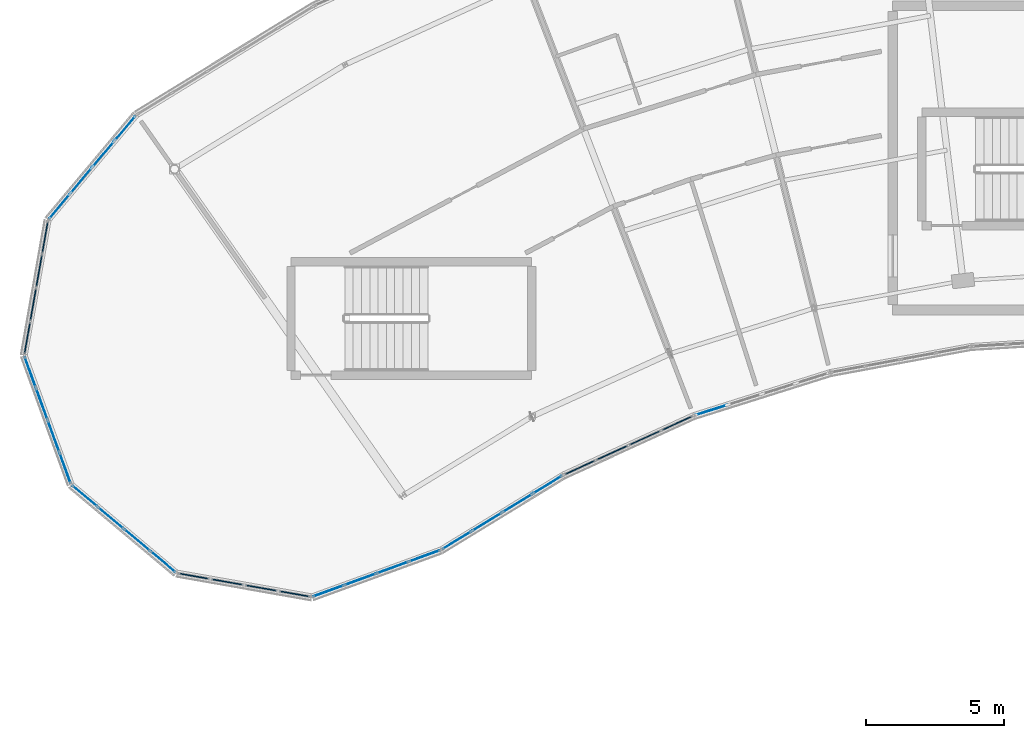
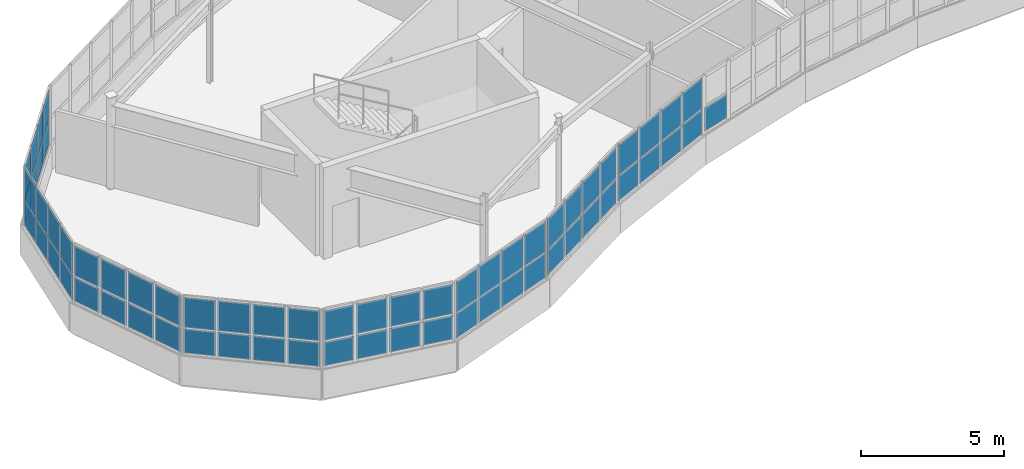
# One storey, part 40 of 65: 65 plates, 9 elements without a shape of their own.
"""IFC4 building model written with IfcOpenShell, lengths in metres."""

from ifc_helpers import new_model, si_unit, direction, frame, origin, origin_2d, place, context, subcontext, project, spatial, rectangle, extrude, material, layer, layer_set, type_object, element, aggregate, save


model = new_model("IFC4")

# Units and contexts
model_context = context("Model", 3, precision=1e-05, world=origin(), true_north=direction((0.0, 1.0)))
body_context = subcontext(model_context, "Body", "Model", "MODEL_VIEW")
ifc_project = project(units=[si_unit("LENGTHUNIT", "METRE"), si_unit("AREAUNIT", "SQUARE_METRE"), si_unit("VOLUMEUNIT", "CUBIC_METRE"), si_unit("PLANEANGLEUNIT", "RADIAN"), si_unit("MASSUNIT", "GRAM", prefix="KILO")], contexts=[model_context])

# Site, building, storey
site_placement = place(None, origin())
site = spatial("IfcSite", under=ifc_project, at=site_placement, CompositionType="ELEMENT")
building_placement = place(site_placement, origin())
building = spatial("IfcBuilding", under=site, at=building_placement, Name="Tarnwether General Hospital", CompositionType="ELEMENT")
storey_placement = place(building_placement, frame((0.0, 0.0, 22.199951171875)))
storey = spatial("IfcBuildingStorey", under=building, at=storey_placement, Name="L05", CompositionType="ELEMENT", Elevation=22.199951171875)

# Curtain wall, plates
ifc_material_1 = material(Name="Anodised aluminium", Category="aluminium")
ifc_layer_1 = layer(ifc_material_1, 0.159912109375)
ifc_layer_set_1 = layer_set([ifc_layer_1], Name="Anodised aluminium")
curtain_wall_type = type_object("IfcCurtainWallType", Name="CW-03", PredefinedType="NOTDEFINED", material=ifc_layer_set_1)
curtain_wall_1_placement = place(storey_placement, origin())
curtain_wall_1 = element("IfcCurtainWall", 1, at=curtain_wall_1_placement, inside=storey, type_object=curtain_wall_type, Name="Curtain Wall CWG-L05-543_1001-0066", PredefinedType="NOTDEFINED")
ifc_material_2 = material(Name="Double glazed low-E glass", Category="glass")
ifc_layer_2 = layer(ifc_material_2, 0.028076171875)
ifc_layer_set_2 = layer_set([ifc_layer_2], Name="Double glazed low-E glass")
plate_type_1 = type_object("IfcPlateType", Name="PT-CWP1", PredefinedType="CURTAIN_PANEL", material=ifc_layer_set_2)
plate_1_placement = place(storey_placement, frame((54.091552734375, 100.690185546875, 1.1201171875), z_axis=(0.0, 0.0, 1.0), x_axis=(-0.341953136469, 0.939717006582, 0.0)))
plate_1 = element("IfcPlate", 2, at=plate_1_placement, type_object=plate_type_1, Name="CW-03 panel 1.1", PredefinedType="CURTAIN_PANEL", context=body_context, shape_type="SweptSolid", body=[
    extrude(rectangle(XDim=1.13720703125, YDim=0.028076171875, at=origin_2d()), origin(), (0.0, 0.0, 1.0), 1.0244140625),
])
plate_2_placement = place(storey_placement, frame((54.091552734375, 100.690185546875, 2.214599609375), z_axis=(0.0, 0.0, 1.0), x_axis=(-0.341953136469, 0.939717006582, 0.0)))
plate_2 = element("IfcPlate", 3, at=plate_2_placement, type_object=plate_type_1, Name="CW-03 panel 1.2", PredefinedType="CURTAIN_PANEL", context=body_context, shape_type="SweptSolid", body=[
    extrude(rectangle(XDim=1.13720703125, YDim=0.028076171875, at=origin_2d()), origin(), (0.0, 0.0, 1.0), 1.275390625),
])
plate_3_placement = place(storey_placement, frame((53.6728515625, 101.8408203125, 1.1201171875), z_axis=(0.0, 0.0, 1.0), x_axis=(-0.341953136469, 0.939717006582, 0.0)))
plate_3 = element("IfcPlate", 4, at=plate_3_placement, type_object=plate_type_1, Name="CW-03 panel 2.1", PredefinedType="CURTAIN_PANEL", context=body_context, shape_type="SweptSolid", body=[
    extrude(rectangle(XDim=1.172119140625, YDim=0.028076171875, at=origin_2d()), origin(), (0.0, 0.0, 1.0), 1.0244140625),
])
plate_4_placement = place(storey_placement, frame((53.6728515625, 101.8408203125, 2.214599609375), z_axis=(0.0, 0.0, 1.0), x_axis=(-0.341953136469, 0.939717006582, 0.0)))
plate_4 = element("IfcPlate", 5, at=plate_4_placement, type_object=plate_type_1, Name="CW-03 panel 2.2", PredefinedType="CURTAIN_PANEL", context=body_context, shape_type="SweptSolid", body=[
    extrude(rectangle(XDim=1.172119140625, YDim=0.028076171875, at=origin_2d()), origin(), (0.0, 0.0, 1.0), 1.275390625),
])
plate_5_placement = place(storey_placement, frame((53.248046875, 103.008056640625, 1.1201171875), z_axis=(0.0, 0.0, 1.0), x_axis=(-0.341953136469, 0.939717006582, 0.0)))
plate_5 = element("IfcPlate", 6, at=plate_5_placement, type_object=plate_type_1, Name="CW-03 panel 3.1", PredefinedType="CURTAIN_PANEL", context=body_context, shape_type="SweptSolid", body=[
    extrude(rectangle(XDim=1.172119140625, YDim=0.028076171875, at=origin_2d()), origin(), (0.0, 0.0, 1.0), 1.0244140625),
])
plate_6_placement = place(storey_placement, frame((53.248046875, 103.008056640625, 2.214599609375), z_axis=(0.0, 0.0, 1.0), x_axis=(-0.341953136469, 0.939717006582, 0.0)))
plate_6 = element("IfcPlate", 7, at=plate_6_placement, type_object=plate_type_1, Name="CW-03 panel 3.2", PredefinedType="CURTAIN_PANEL", context=body_context, shape_type="SweptSolid", body=[
    extrude(rectangle(XDim=1.172119140625, YDim=0.028076171875, at=origin_2d()), origin(), (0.0, 0.0, 1.0), 1.275390625),
])
plate_7_placement = place(storey_placement, frame((52.829345703125, 104.158935546875, 1.1201171875), z_axis=(0.0, 0.0, 1.0), x_axis=(-0.341953136469, 0.939717006582, 0.0)))
plate_7 = element("IfcPlate", 8, at=plate_7_placement, type_object=plate_type_1, Name="CW-03 panel 4.1", PredefinedType="CURTAIN_PANEL", context=body_context, shape_type="SweptSolid", body=[
    extrude(rectangle(XDim=1.13720703125, YDim=0.028076171875, at=origin_2d()), origin(), (0.0, 0.0, 1.0), 1.0244140625),
])
plate_8_placement = place(storey_placement, frame((52.829345703125, 104.158935546875, 2.214599609375), z_axis=(0.0, 0.0, 1.0), x_axis=(-0.341953136469, 0.939717006582, 0.0)))
plate_8 = element("IfcPlate", 9, at=plate_8_placement, type_object=plate_type_1, Name="CW-03 panel 4.2", PredefinedType="CURTAIN_PANEL", context=body_context, shape_type="SweptSolid", body=[
    extrude(rectangle(XDim=1.13720703125, YDim=0.028076171875, at=origin_2d()), origin(), (0.0, 0.0, 1.0), 1.275390625),
])
aggregate(curtain_wall_1, [plate_1, plate_2, plate_3, plate_4, plate_5, plate_6, plate_7, plate_8])

curtain_wall_2_placement = place(storey_placement, origin())
curtain_wall_2 = element("IfcCurtainWall", 10, at=curtain_wall_2_placement, inside=storey, type_object=curtain_wall_type, Name="Curtain Wall CWG-L05-581_969-0067", PredefinedType="NOTDEFINED")
plate_9_placement = place(storey_placement, frame((57.628662109375, 97.304931640625, 1.115234375), z_axis=(0.0, 0.0, 1.0), x_axis=(-0.765990176896, 0.64285227611, 0.0)))
plate_9 = element("IfcPlate", 11, at=plate_9_placement, type_object=plate_type_1, Name="CW-03 panel 1.1", PredefinedType="CURTAIN_PANEL", context=body_context, shape_type="SweptSolid", body=[
    extrude(rectangle(XDim=1.14501953125, YDim=0.028076171875, at=origin_2d()), origin(), (0.0, 0.0, 1.0), 1.031982421875),
])
plate_10_placement = place(storey_placement, frame((57.628662109375, 97.304931640625, 2.2119140625), z_axis=(0.0, 0.0, 1.0), x_axis=(-0.765990176896, 0.64285227611, 0.0)))
plate_10 = element("IfcPlate", 12, at=plate_10_placement, type_object=plate_type_1, Name="CW-03 panel 1.2", PredefinedType="CURTAIN_PANEL", context=body_context, shape_type="SweptSolid", body=[
    extrude(rectangle(XDim=1.14501953125, YDim=0.028076171875, at=origin_2d()), origin(), (0.0, 0.0, 1.0), 1.282958984375),
])
plate_11_placement = place(storey_placement, frame((56.689453125, 98.093017578125, 1.115234375), z_axis=(0.0, 0.0, 1.0), x_axis=(-0.765990176896, 0.64285227611, 0.0)))
plate_11 = element("IfcPlate", 13, at=plate_11_placement, type_object=plate_type_1, Name="CW-03 panel 2.1", PredefinedType="CURTAIN_PANEL", context=body_context, shape_type="SweptSolid", body=[
    extrude(rectangle(XDim=1.177490234375, YDim=0.028076171875, at=origin_2d()), origin(), (0.0, 0.0, 1.0), 1.031982421875),
])
plate_12_placement = place(storey_placement, frame((56.689453125, 98.093017578125, 2.2119140625), z_axis=(0.0, 0.0, 1.0), x_axis=(-0.765990176896, 0.64285227611, 0.0)))
plate_12 = element("IfcPlate", 14, at=plate_12_placement, type_object=plate_type_1, Name="CW-03 panel 2.2", PredefinedType="CURTAIN_PANEL", context=body_context, shape_type="SweptSolid", body=[
    extrude(rectangle(XDim=1.177490234375, YDim=0.028076171875, at=origin_2d()), origin(), (0.0, 0.0, 1.0), 1.282958984375),
])
plate_13_placement = place(storey_placement, frame((55.737548828125, 98.891845703125, 1.115234375), z_axis=(0.0, 0.0, 1.0), x_axis=(-0.765990176896, 0.64285227611, 0.0)))
plate_13 = element("IfcPlate", 15, at=plate_13_placement, type_object=plate_type_1, Name="CW-03 panel 3.1", PredefinedType="CURTAIN_PANEL", context=body_context, shape_type="SweptSolid", body=[
    extrude(rectangle(XDim=1.177490234375, YDim=0.028076171875, at=origin_2d()), origin(), (0.0, 0.0, 1.0), 1.031982421875),
])
plate_14_placement = place(storey_placement, frame((55.737548828125, 98.891845703125, 2.2119140625), z_axis=(0.0, 0.0, 1.0), x_axis=(-0.765990176896, 0.64285227611, 0.0)))
plate_14 = element("IfcPlate", 16, at=plate_14_placement, type_object=plate_type_1, Name="CW-03 panel 3.2", PredefinedType="CURTAIN_PANEL", context=body_context, shape_type="SweptSolid", body=[
    extrude(rectangle(XDim=1.177490234375, YDim=0.028076171875, at=origin_2d()), origin(), (0.0, 0.0, 1.0), 1.282958984375),
])
plate_15_placement = place(storey_placement, frame((54.79833984375, 99.68017578125, 1.115234375), z_axis=(0.0, 0.0, 1.0), x_axis=(-0.765990176896, 0.64285227611, 0.0)))
plate_15 = element("IfcPlate", 17, at=plate_15_placement, type_object=plate_type_1, Name="CW-03 panel 4.1", PredefinedType="CURTAIN_PANEL", context=body_context, shape_type="SweptSolid", body=[
    extrude(rectangle(XDim=1.14501953125, YDim=0.028076171875, at=origin_2d()), origin(), (0.0, 0.0, 1.0), 1.031982421875),
])
plate_16_placement = place(storey_placement, frame((54.79833984375, 99.68017578125, 2.2119140625), z_axis=(0.0, 0.0, 1.0), x_axis=(-0.765990176896, 0.64285227611, 0.0)))
plate_16 = element("IfcPlate", 18, at=plate_16_placement, type_object=plate_type_1, Name="CW-03 panel 4.2", PredefinedType="CURTAIN_PANEL", context=body_context, shape_type="SweptSolid", body=[
    extrude(rectangle(XDim=1.14501953125, YDim=0.028076171875, at=origin_2d()), origin(), (0.0, 0.0, 1.0), 1.282958984375),
])
aggregate(curtain_wall_2, [plate_9, plate_10, plate_11, plate_12, plate_13, plate_14, plate_15, plate_16])

curtain_wall_3_placement = place(storey_placement, origin())
curtain_wall_3 = element("IfcCurtainWall", 19, at=curtain_wall_3_placement, inside=storey, type_object=curtain_wall_type, Name="Curtain Wall CWG-L05-677_977-0069", PredefinedType="NOTDEFINED")
plate_17_placement = place(storey_placement, frame((67.082275390625, 97.514404296875, 1.110107421875), z_axis=(0.0, 0.0, 1.0), x_axis=(-0.939652319163, -0.342130850834, 0.0)))
plate_17 = element("IfcPlate", 20, at=plate_17_placement, type_object=plate_type_1, Name="CW-03 panel 1.1", PredefinedType="CURTAIN_PANEL", context=body_context, shape_type="SweptSolid", body=[
    extrude(rectangle(XDim=1.152099609375, YDim=0.028076171875, at=origin_2d()), origin(), (0.0, 0.0, 1.0), 1.03955078125),
])
plate_18_placement = place(storey_placement, frame((67.082275390625, 97.514404296875, 2.20947265625), z_axis=(0.0, 0.0, 1.0), x_axis=(-0.939652319163, -0.342130850834, 0.0)))
plate_18 = element("IfcPlate", 21, at=plate_18_placement, type_object=plate_type_1, Name="CW-03 panel 1.2", PredefinedType="CURTAIN_PANEL", context=body_context, shape_type="SweptSolid", body=[
    extrude(rectangle(XDim=1.152099609375, YDim=0.028076171875, at=origin_2d()), origin(), (0.0, 0.0, 1.0), 1.29052734375),
])
plate_19_placement = place(storey_placement, frame((65.92919921875, 97.094482421875, 1.110107421875), z_axis=(0.0, 0.0, 1.0), x_axis=(-0.939652319163, -0.342130850834, 0.0)))
plate_19 = element("IfcPlate", 22, at=plate_19_placement, type_object=plate_type_1, Name="CW-03 panel 2.1", PredefinedType="CURTAIN_PANEL", context=body_context, shape_type="SweptSolid", body=[
    extrude(rectangle(XDim=1.18212890625, YDim=0.028076171875, at=origin_2d()), origin(), (0.0, 0.0, 1.0), 1.03955078125),
])
plate_20_placement = place(storey_placement, frame((65.92919921875, 97.094482421875, 2.20947265625), z_axis=(0.0, 0.0, 1.0), x_axis=(-0.939652319163, -0.342130850834, 0.0)))
plate_20 = element("IfcPlate", 23, at=plate_20_placement, type_object=plate_type_1, Name="CW-03 panel 2.2", PredefinedType="CURTAIN_PANEL", context=body_context, shape_type="SweptSolid", body=[
    extrude(rectangle(XDim=1.18212890625, YDim=0.028076171875, at=origin_2d()), origin(), (0.0, 0.0, 1.0), 1.29052734375),
])
plate_21_placement = place(storey_placement, frame((64.761962890625, 96.66943359375, 1.110107421875), z_axis=(0.0, 0.0, 1.0), x_axis=(-0.939652319163, -0.342130850834, 0.0)))
plate_21 = element("IfcPlate", 24, at=plate_21_placement, type_object=plate_type_1, Name="CW-03 panel 3.1", PredefinedType="CURTAIN_PANEL", context=body_context, shape_type="SweptSolid", body=[
    extrude(rectangle(XDim=1.18212890625, YDim=0.028076171875, at=origin_2d()), origin(), (0.0, 0.0, 1.0), 1.03955078125),
])
plate_22_placement = place(storey_placement, frame((64.761962890625, 96.66943359375, 2.20947265625), z_axis=(0.0, 0.0, 1.0), x_axis=(-0.939652319163, -0.342130850834, 0.0)))
plate_22 = element("IfcPlate", 25, at=plate_22_placement, type_object=plate_type_1, Name="CW-03 panel 3.2", PredefinedType="CURTAIN_PANEL", context=body_context, shape_type="SweptSolid", body=[
    extrude(rectangle(XDim=1.18212890625, YDim=0.028076171875, at=origin_2d()), origin(), (0.0, 0.0, 1.0), 1.29052734375),
])
plate_23_placement = place(storey_placement, frame((63.608642578125, 96.24951171875, 1.110107421875), z_axis=(0.0, 0.0, 1.0), x_axis=(-0.939652319163, -0.342130850834, 0.0)))
plate_23 = element("IfcPlate", 26, at=plate_23_placement, type_object=plate_type_1, Name="CW-03 panel 4.1", PredefinedType="CURTAIN_PANEL", context=body_context, shape_type="SweptSolid", body=[
    extrude(rectangle(XDim=1.152099609375, YDim=0.028076171875, at=origin_2d()), origin(), (0.0, 0.0, 1.0), 1.03955078125),
])
plate_24_placement = place(storey_placement, frame((63.608642578125, 96.24951171875, 2.20947265625), z_axis=(0.0, 0.0, 1.0), x_axis=(-0.939652319163, -0.342130850834, 0.0)))
plate_24 = element("IfcPlate", 27, at=plate_24_placement, type_object=plate_type_1, Name="CW-03 panel 4.2", PredefinedType="CURTAIN_PANEL", context=body_context, shape_type="SweptSolid", body=[
    extrude(rectangle(XDim=1.152099609375, YDim=0.028076171875, at=origin_2d()), origin(), (0.0, 0.0, 1.0), 1.29052734375),
])
aggregate(curtain_wall_3, [plate_17, plate_18, plate_19, plate_20, plate_21, plate_22, plate_23, plate_24])

curtain_wall_4_placement = place(storey_placement, origin())
curtain_wall_4 = element("IfcCurtainWall", 28, at=curtain_wall_4_placement, inside=storey, type_object=curtain_wall_type, Name="Curtain Wall CWG-L05-721_1004-0070", PredefinedType="NOTDEFINED")
plate_25_placement = place(storey_placement, frame((71.52734375, 100.08984375, 1.1201171875), z_axis=(0.0, 0.0, 1.0), x_axis=(-0.852631789198, -0.522512231483, 0.0)))
plate_25 = element("IfcPlate", 29, at=plate_25_placement, type_object=plate_type_1, Name="CW-03 panel 1.1", PredefinedType="CURTAIN_PANEL", context=body_context, shape_type="SweptSolid", body=[
    extrude(rectangle(XDim=1.189208984375, YDim=0.028076171875, at=origin_2d()), origin(), (0.0, 0.0, 1.0), 1.0244140625),
])
plate_26_placement = place(storey_placement, frame((71.52734375, 100.08984375, 2.214599609375), z_axis=(0.0, 0.0, 1.0), x_axis=(-0.852631789198, -0.522512231483, 0.0)))
plate_26 = element("IfcPlate", 30, at=plate_26_placement, type_object=plate_type_1, Name="CW-03 panel 1.2", PredefinedType="CURTAIN_PANEL", context=body_context, shape_type="SweptSolid", body=[
    extrude(rectangle(XDim=1.189208984375, YDim=0.028076171875, at=origin_2d()), origin(), (0.0, 0.0, 1.0), 1.275390625),
])
plate_27_placement = place(storey_placement, frame((70.438720703125, 99.422607421875, 1.1201171875), z_axis=(0.0, 0.0, 1.0), x_axis=(-0.852631789198, -0.522512231483, 0.0)))
plate_27 = element("IfcPlate", 31, at=plate_27_placement, type_object=plate_type_1, Name="CW-03 panel 2.1", PredefinedType="CURTAIN_PANEL", context=body_context, shape_type="SweptSolid", body=[
    extrude(rectangle(XDim=1.22412109375, YDim=0.028076171875, at=origin_2d()), origin(), (0.0, 0.0, 1.0), 1.0244140625),
])
plate_28_placement = place(storey_placement, frame((70.438720703125, 99.422607421875, 2.214599609375), z_axis=(0.0, 0.0, 1.0), x_axis=(-0.852631789198, -0.522512231483, 0.0)))
plate_28 = element("IfcPlate", 32, at=plate_28_placement, type_object=plate_type_1, Name="CW-03 panel 2.2", PredefinedType="CURTAIN_PANEL", context=body_context, shape_type="SweptSolid", body=[
    extrude(rectangle(XDim=1.22412109375, YDim=0.028076171875, at=origin_2d()), origin(), (0.0, 0.0, 1.0), 1.275390625),
])
plate_29_placement = place(storey_placement, frame((69.335205078125, 98.746337890625, 1.1201171875), z_axis=(0.0, 0.0, 1.0), x_axis=(-0.852631789198, -0.522512231483, 0.0)))
plate_29 = element("IfcPlate", 33, at=plate_29_placement, type_object=plate_type_1, Name="CW-03 panel 3.1", PredefinedType="CURTAIN_PANEL", context=body_context, shape_type="SweptSolid", body=[
    extrude(rectangle(XDim=1.22412109375, YDim=0.028076171875, at=origin_2d()), origin(), (0.0, 0.0, 1.0), 1.0244140625),
])
plate_30_placement = place(storey_placement, frame((69.335205078125, 98.746337890625, 2.214599609375), z_axis=(0.0, 0.0, 1.0), x_axis=(-0.852631789198, -0.522512231483, 0.0)))
plate_30 = element("IfcPlate", 34, at=plate_30_placement, type_object=plate_type_1, Name="CW-03 panel 3.2", PredefinedType="CURTAIN_PANEL", context=body_context, shape_type="SweptSolid", body=[
    extrude(rectangle(XDim=1.22412109375, YDim=0.028076171875, at=origin_2d()), origin(), (0.0, 0.0, 1.0), 1.275390625),
])
plate_31_placement = place(storey_placement, frame((68.24658203125, 98.079345703125, 1.1201171875), z_axis=(0.0, 0.0, 1.0), x_axis=(-0.852631789198, -0.522512231483, 0.0)))
plate_31 = element("IfcPlate", 35, at=plate_31_placement, type_object=plate_type_1, Name="CW-03 panel 4.1", PredefinedType="CURTAIN_PANEL", context=body_context, shape_type="SweptSolid", body=[
    extrude(rectangle(XDim=1.189208984375, YDim=0.028076171875, at=origin_2d()), origin(), (0.0, 0.0, 1.0), 1.0244140625),
])
plate_32_placement = place(storey_placement, frame((68.24658203125, 98.079345703125, 2.214599609375), z_axis=(0.0, 0.0, 1.0), x_axis=(-0.852631789198, -0.522512231483, 0.0)))
plate_32 = element("IfcPlate", 36, at=plate_32_placement, type_object=plate_type_1, Name="CW-03 panel 4.2", PredefinedType="CURTAIN_PANEL", context=body_context, shape_type="SweptSolid", body=[
    extrude(rectangle(XDim=1.189208984375, YDim=0.028076171875, at=origin_2d()), origin(), (0.0, 0.0, 1.0), 1.275390625),
])
aggregate(curtain_wall_4, [plate_25, plate_26, plate_27, plate_28, plate_29, plate_30, plate_31, plate_32])

# Curtain wall, plate
curtain_wall_5_placement = place(storey_placement, origin())
curtain_wall_5 = element("IfcCurtainWall", 37, at=curtain_wall_5_placement, inside=storey, type_object=curtain_wall_type, Name="Curtain Wall CWG-L05-817_1041-0072", PredefinedType="NOTDEFINED")
plate_33_placement = place(storey_placement, frame((77.44140625, 102.78466796875, 1.1298828125), z_axis=(0.0, 0.0, 1.0), x_axis=(-0.953713927508, -0.30071538783, 0.0)))
plate_33 = element("IfcPlate", 38, at=plate_33_placement, type_object=plate_type_1, Name="CW-03 panel 4.1", PredefinedType="CURTAIN_PANEL", context=body_context, shape_type="SweptSolid", body=[
    extrude(rectangle(XDim=1.17431640625, YDim=0.028076171875, at=origin_2d()), origin(), (0.0, 0.0, 1.0), 1.009521484375),
])
aggregate(curtain_wall_5, [plate_33])

# Curtain wall, plates
curtain_wall_6_placement = place(storey_placement, origin())
curtain_wall_6 = element("IfcCurtainWall", 39, at=curtain_wall_6_placement, inside=storey, type_object=curtain_wall_type, Name="Curtain Wall CWG-L05-535_1097-0096", PredefinedType="NOTDEFINED")
plate_34_placement = place(storey_placement, frame((53.88525390625, 110.144287109375, 1.1298828125), z_axis=(0.0, 0.0, 1.0), x_axis=(0.64285227611, 0.765990176896, 0.0)))
plate_34 = element("IfcPlate", 40, at=plate_34_placement, type_object=plate_type_1, Name="CW-03 panel 1.1", PredefinedType="CURTAIN_PANEL", context=body_context, shape_type="SweptSolid", body=[
    extrude(rectangle(XDim=1.12255859375, YDim=0.028076171875, at=origin_2d()), origin(), (0.0, 0.0, 1.0), 1.009521484375),
])
plate_35_placement = place(storey_placement, frame((53.88525390625, 110.144287109375, 2.2197265625), z_axis=(0.0, 0.0, 1.0), x_axis=(0.64285227611, 0.765990176896, 0.0)))
plate_35 = element("IfcPlate", 41, at=plate_35_placement, type_object=plate_type_1, Name="CW-03 panel 1.2", PredefinedType="CURTAIN_PANEL", context=body_context, shape_type="SweptSolid", body=[
    extrude(rectangle(XDim=1.12255859375, YDim=0.028076171875, at=origin_2d()), origin(), (0.0, 0.0, 1.0), 1.260498046875),
])
plate_36_placement = place(storey_placement, frame((54.671142578125, 111.08056640625, 1.1298828125), z_axis=(0.0, 0.0, 1.0), x_axis=(0.64285227611, 0.765990176896, 0.0)))
plate_36 = element("IfcPlate", 42, at=plate_36_placement, type_object=plate_type_1, Name="CW-03 panel 2.1", PredefinedType="CURTAIN_PANEL", context=body_context, shape_type="SweptSolid", body=[
    extrude(rectangle(XDim=1.16259765625, YDim=0.028076171875, at=origin_2d()), origin(), (0.0, 0.0, 1.0), 1.009521484375),
])
plate_37_placement = place(storey_placement, frame((54.671142578125, 111.08056640625, 2.2197265625), z_axis=(0.0, 0.0, 1.0), x_axis=(0.64285227611, 0.765990176896, 0.0)))
plate_37 = element("IfcPlate", 43, at=plate_37_placement, type_object=plate_type_1, Name="CW-03 panel 2.2", PredefinedType="CURTAIN_PANEL", context=body_context, shape_type="SweptSolid", body=[
    extrude(rectangle(XDim=1.16259765625, YDim=0.028076171875, at=origin_2d()), origin(), (0.0, 0.0, 1.0), 1.260498046875),
])
plate_38_placement = place(storey_placement, frame((55.469970703125, 112.032470703125, 1.1298828125), z_axis=(0.0, 0.0, 1.0), x_axis=(0.64285227611, 0.765990176896, 0.0)))
plate_38 = element("IfcPlate", 44, at=plate_38_placement, type_object=plate_type_1, Name="CW-03 panel 3.1", PredefinedType="CURTAIN_PANEL", context=body_context, shape_type="SweptSolid", body=[
    extrude(rectangle(XDim=1.16259765625, YDim=0.028076171875, at=origin_2d()), origin(), (0.0, 0.0, 1.0), 1.009521484375),
])
plate_39_placement = place(storey_placement, frame((55.469970703125, 112.032470703125, 2.2197265625), z_axis=(0.0, 0.0, 1.0), x_axis=(0.64285227611, 0.765990176896, 0.0)))
plate_39 = element("IfcPlate", 45, at=plate_39_placement, type_object=plate_type_1, Name="CW-03 panel 3.2", PredefinedType="CURTAIN_PANEL", context=body_context, shape_type="SweptSolid", body=[
    extrude(rectangle(XDim=1.16259765625, YDim=0.028076171875, at=origin_2d()), origin(), (0.0, 0.0, 1.0), 1.260498046875),
])
plate_40_placement = place(storey_placement, frame((56.255859375, 112.96875, 1.1298828125), z_axis=(0.0, 0.0, 1.0), x_axis=(0.64285227611, 0.765990176896, 0.0)))
plate_40 = element("IfcPlate", 46, at=plate_40_placement, type_object=plate_type_1, Name="CW-03 panel 4.1", PredefinedType="CURTAIN_PANEL", context=body_context, shape_type="SweptSolid", body=[
    extrude(rectangle(XDim=1.12255859375, YDim=0.028076171875, at=origin_2d()), origin(), (0.0, 0.0, 1.0), 1.009521484375),
])
plate_41_placement = place(storey_placement, frame((56.255859375, 112.96875, 2.2197265625), z_axis=(0.0, 0.0, 1.0), x_axis=(0.64285227611, 0.765990176896, 0.0)))
plate_41 = element("IfcPlate", 47, at=plate_41_placement, type_object=plate_type_1, Name="CW-03 panel 4.2", PredefinedType="CURTAIN_PANEL", context=body_context, shape_type="SweptSolid", body=[
    extrude(rectangle(XDim=1.12255859375, YDim=0.028076171875, at=origin_2d()), origin(), (0.0, 0.0, 1.0), 1.260498046875),
])
aggregate(curtain_wall_6, [plate_34, plate_35, plate_36, plate_37, plate_38, plate_39, plate_40, plate_41])

curtain_wall_7_placement = place(storey_placement, origin())
curtain_wall_7 = element("IfcCurtainWall", 48, at=curtain_wall_7_placement, inside=storey, type_object=curtain_wall_type, Name="Curtain Wall CWG-L05-526_1048-0065", PredefinedType="NOTDEFINED")
ifc_material_3 = material(Name="Double glazed low-E glass", Category="glass")
ifc_layer_3 = layer(ifc_material_3, 0.035888671875)
ifc_layer_set_3 = layer_set([ifc_layer_3], Name="Double glazed low-E glass")
plate_type_2 = type_object("IfcPlateType", Name="PT-CWP2", PredefinedType="CURTAIN_PANEL", material=ifc_layer_set_3)
plate_42_placement = place(storey_placement, frame((52.721435546875, 105.385498046875, 1.110107421875), z_axis=(0.0, 0.0, 1.0), x_axis=(0.173463890135, 0.984840230098, 0.0)))
plate_42 = element("IfcPlate", 49, at=plate_42_placement, type_object=plate_type_2, Name="CW-03 panel 1.1", PredefinedType="CURTAIN_PANEL", context=body_context, shape_type="SweptSolid", body=[
    extrude(rectangle(XDim=1.15234375, YDim=0.035888671875, at=origin_2d()), origin(), (0.0, 0.0, 1.0), 1.03955078125),
])
plate_43_placement = place(storey_placement, frame((52.721435546875, 105.385498046875, 2.20947265625), z_axis=(0.0, 0.0, 1.0), x_axis=(0.173463890135, 0.984840230098, 0.0)))
plate_43 = element("IfcPlate", 50, at=plate_43_placement, type_object=plate_type_2, Name="CW-03 panel 1.2", PredefinedType="CURTAIN_PANEL", context=body_context, shape_type="SweptSolid", body=[
    extrude(rectangle(XDim=1.15234375, YDim=0.035888671875, at=origin_2d()), origin(), (0.0, 0.0, 1.0), 1.29052734375),
])
plate_44_placement = place(storey_placement, frame((52.934326171875, 106.59423828125, 1.110107421875), z_axis=(0.0, 0.0, 1.0), x_axis=(0.173463890135, 0.984840230098, 0.0)))
plate_44 = element("IfcPlate", 51, at=plate_44_placement, type_object=plate_type_2, Name="CW-03 panel 2.1", PredefinedType="CURTAIN_PANEL", context=body_context, shape_type="SweptSolid", body=[
    extrude(rectangle(XDim=1.182373046875, YDim=0.035888671875, at=origin_2d()), origin(), (0.0, 0.0, 1.0), 1.03955078125),
])
plate_45_placement = place(storey_placement, frame((52.934326171875, 106.59423828125, 2.20947265625), z_axis=(0.0, 0.0, 1.0), x_axis=(0.173463890135, 0.984840230098, 0.0)))
plate_45 = element("IfcPlate", 52, at=plate_45_placement, type_object=plate_type_2, Name="CW-03 panel 2.2", PredefinedType="CURTAIN_PANEL", context=body_context, shape_type="SweptSolid", body=[
    extrude(rectangle(XDim=1.182373046875, YDim=0.035888671875, at=origin_2d()), origin(), (0.0, 0.0, 1.0), 1.29052734375),
])
plate_46_placement = place(storey_placement, frame((53.149658203125, 107.81787109375, 1.110107421875), z_axis=(0.0, 0.0, 1.0), x_axis=(0.173463890135, 0.984840230098, 0.0)))
plate_46 = element("IfcPlate", 53, at=plate_46_placement, type_object=plate_type_2, Name="CW-03 panel 3.1", PredefinedType="CURTAIN_PANEL", context=body_context, shape_type="SweptSolid", body=[
    extrude(rectangle(XDim=1.182373046875, YDim=0.035888671875, at=origin_2d()), origin(), (0.0, 0.0, 1.0), 1.03955078125),
])
plate_47_placement = place(storey_placement, frame((53.149658203125, 107.81787109375, 2.20947265625), z_axis=(0.0, 0.0, 1.0), x_axis=(0.173463890135, 0.984840230098, 0.0)))
plate_47 = element("IfcPlate", 54, at=plate_47_placement, type_object=plate_type_2, Name="CW-03 panel 3.2", PredefinedType="CURTAIN_PANEL", context=body_context, shape_type="SweptSolid", body=[
    extrude(rectangle(XDim=1.182373046875, YDim=0.035888671875, at=origin_2d()), origin(), (0.0, 0.0, 1.0), 1.29052734375),
])
plate_48_placement = place(storey_placement, frame((53.362548828125, 109.0263671875, 1.110107421875), z_axis=(0.0, 0.0, 1.0), x_axis=(0.173463890135, 0.984840230098, 0.0)))
plate_48 = element("IfcPlate", 55, at=plate_48_placement, type_object=plate_type_2, Name="CW-03 panel 4.1", PredefinedType="CURTAIN_PANEL", context=body_context, shape_type="SweptSolid", body=[
    extrude(rectangle(XDim=1.15234375, YDim=0.035888671875, at=origin_2d()), origin(), (0.0, 0.0, 1.0), 1.03955078125),
])
plate_49_placement = place(storey_placement, frame((53.362548828125, 109.0263671875, 2.20947265625), z_axis=(0.0, 0.0, 1.0), x_axis=(0.173463890135, 0.984840230098, 0.0)))
plate_49 = element("IfcPlate", 56, at=plate_49_placement, type_object=plate_type_2, Name="CW-03 panel 4.2", PredefinedType="CURTAIN_PANEL", context=body_context, shape_type="SweptSolid", body=[
    extrude(rectangle(XDim=1.15234375, YDim=0.035888671875, at=origin_2d()), origin(), (0.0, 0.0, 1.0), 1.29052734375),
])
aggregate(curtain_wall_7, [plate_42, plate_43, plate_44, plate_45, plate_46, plate_47, plate_48, plate_49])

curtain_wall_8_placement = place(storey_placement, origin())
curtain_wall_8 = element("IfcCurtainWall", 57, at=curtain_wall_8_placement, inside=storey, type_object=curtain_wall_type, Name="Curtain Wall CWG-L05-630_960-0068", PredefinedType="NOTDEFINED")
plate_50_placement = place(storey_placement, frame((62.379638671875, 96.143310546875, 1.1298828125), z_axis=(0.0, 0.0, 1.0), x_axis=(-0.984805834268, 0.173659059054, 0.0)))
plate_50 = element("IfcPlate", 58, at=plate_50_placement, type_object=plate_type_2, Name="CW-03 panel 1.1", PredefinedType="CURTAIN_PANEL", context=body_context, shape_type="SweptSolid", body=[
    extrude(rectangle(XDim=1.122314453125, YDim=0.035888671875, at=origin_2d()), origin(), (0.0, 0.0, 1.0), 1.009521484375),
])
plate_51_placement = place(storey_placement, frame((62.379638671875, 96.143310546875, 2.2197265625), z_axis=(0.0, 0.0, 1.0), x_axis=(-0.984805834268, 0.173659059054, 0.0)))
plate_51 = element("IfcPlate", 59, at=plate_51_placement, type_object=plate_type_2, Name="CW-03 panel 1.2", PredefinedType="CURTAIN_PANEL", context=body_context, shape_type="SweptSolid", body=[
    extrude(rectangle(XDim=1.122314453125, YDim=0.035888671875, at=origin_2d()), origin(), (0.0, 0.0, 1.0), 1.260498046875),
])
plate_52_placement = place(storey_placement, frame((61.17578125, 96.355712890625, 1.1298828125), z_axis=(0.0, 0.0, 1.0), x_axis=(-0.984805834268, 0.173659059054, 0.0)))
plate_52 = element("IfcPlate", 60, at=plate_52_placement, type_object=plate_type_2, Name="CW-03 panel 2.1", PredefinedType="CURTAIN_PANEL", context=body_context, shape_type="SweptSolid", body=[
    extrude(rectangle(XDim=1.162353515625, YDim=0.035888671875, at=origin_2d()), origin(), (0.0, 0.0, 1.0), 1.009521484375),
])
plate_53_placement = place(storey_placement, frame((61.17578125, 96.355712890625, 2.2197265625), z_axis=(0.0, 0.0, 1.0), x_axis=(-0.984805834268, 0.173659059054, 0.0)))
plate_53 = element("IfcPlate", 61, at=plate_53_placement, type_object=plate_type_2, Name="CW-03 panel 2.2", PredefinedType="CURTAIN_PANEL", context=body_context, shape_type="SweptSolid", body=[
    extrude(rectangle(XDim=1.162353515625, YDim=0.035888671875, at=origin_2d()), origin(), (0.0, 0.0, 1.0), 1.260498046875),
])
plate_54_placement = place(storey_placement, frame((59.9521484375, 96.5712890625, 1.1298828125), z_axis=(0.0, 0.0, 1.0), x_axis=(-0.984805834268, 0.173659059054, 0.0)))
plate_54 = element("IfcPlate", 62, at=plate_54_placement, type_object=plate_type_2, Name="CW-03 panel 3.1", PredefinedType="CURTAIN_PANEL", context=body_context, shape_type="SweptSolid", body=[
    extrude(rectangle(XDim=1.162353515625, YDim=0.035888671875, at=origin_2d()), origin(), (0.0, 0.0, 1.0), 1.009521484375),
])
plate_55_placement = place(storey_placement, frame((59.9521484375, 96.5712890625, 2.2197265625), z_axis=(0.0, 0.0, 1.0), x_axis=(-0.984805834268, 0.173659059054, 0.0)))
plate_55 = element("IfcPlate", 63, at=plate_55_placement, type_object=plate_type_2, Name="CW-03 panel 3.2", PredefinedType="CURTAIN_PANEL", context=body_context, shape_type="SweptSolid", body=[
    extrude(rectangle(XDim=1.162353515625, YDim=0.035888671875, at=origin_2d()), origin(), (0.0, 0.0, 1.0), 1.260498046875),
])
plate_56_placement = place(storey_placement, frame((58.74853515625, 96.78369140625, 1.1298828125), z_axis=(0.0, 0.0, 1.0), x_axis=(-0.984805834268, 0.173659059054, 0.0)))
plate_56 = element("IfcPlate", 64, at=plate_56_placement, type_object=plate_type_2, Name="CW-03 panel 4.1", PredefinedType="CURTAIN_PANEL", context=body_context, shape_type="SweptSolid", body=[
    extrude(rectangle(XDim=1.122314453125, YDim=0.035888671875, at=origin_2d()), origin(), (0.0, 0.0, 1.0), 1.009521484375),
])
plate_57_placement = place(storey_placement, frame((58.74853515625, 96.78369140625, 2.2197265625), z_axis=(0.0, 0.0, 1.0), x_axis=(-0.984805834268, 0.173659059054, 0.0)))
plate_57 = element("IfcPlate", 65, at=plate_57_placement, type_object=plate_type_2, Name="CW-03 panel 4.2", PredefinedType="CURTAIN_PANEL", context=body_context, shape_type="SweptSolid", body=[
    extrude(rectangle(XDim=1.122314453125, YDim=0.035888671875, at=origin_2d()), origin(), (0.0, 0.0, 1.0), 1.260498046875),
])
aggregate(curtain_wall_8, [plate_50, plate_51, plate_52, plate_53, plate_54, plate_55, plate_56, plate_57])

curtain_wall_9_placement = place(storey_placement, origin())
curtain_wall_9 = element("IfcCurtainWall", 66, at=curtain_wall_9_placement, inside=storey, type_object=curtain_wall_type, Name="Curtain Wall CWG-L05-768_1026-0071", PredefinedType="NOTDEFINED")
plate_58_placement = place(storey_placement, frame((76.201416015625, 102.308837890625, 1.115234375), z_axis=(0.0, 0.0, 1.0), x_axis=(-0.90995590549, -0.41470501572, 0.0)))
plate_58 = element("IfcPlate", 67, at=plate_58_placement, type_object=plate_type_2, Name="CW-03 panel 1.1", PredefinedType="CURTAIN_PANEL", context=body_context, shape_type="SweptSolid", body=[
    extrude(rectangle(XDim=1.19677734375, YDim=0.035888671875, at=origin_2d()), origin(), (0.0, 0.0, 1.0), 1.031982421875),
])
plate_59_placement = place(storey_placement, frame((76.201416015625, 102.308837890625, 2.2119140625), z_axis=(0.0, 0.0, 1.0), x_axis=(-0.90995590549, -0.41470501572, 0.0)))
plate_59 = element("IfcPlate", 68, at=plate_59_placement, type_object=plate_type_2, Name="CW-03 panel 1.2", PredefinedType="CURTAIN_PANEL", context=body_context, shape_type="SweptSolid", body=[
    extrude(rectangle(XDim=1.19677734375, YDim=0.035888671875, at=origin_2d()), origin(), (0.0, 0.0, 1.0), 1.282958984375),
])
plate_60_placement = place(storey_placement, frame((75.038330078125, 101.77880859375, 1.115234375), z_axis=(0.0, 0.0, 1.0), x_axis=(-0.90995590549, -0.41470501572, 0.0)))
plate_60 = element("IfcPlate", 69, at=plate_60_placement, type_object=plate_type_2, Name="CW-03 panel 2.1", PredefinedType="CURTAIN_PANEL", context=body_context, shape_type="SweptSolid", body=[
    extrude(rectangle(XDim=1.229248046875, YDim=0.035888671875, at=origin_2d()), origin(), (0.0, 0.0, 1.0), 1.031982421875),
])
plate_61_placement = place(storey_placement, frame((75.038330078125, 101.77880859375, 2.2119140625), z_axis=(0.0, 0.0, 1.0), x_axis=(-0.90995590549, -0.41470501572, 0.0)))
plate_61 = element("IfcPlate", 70, at=plate_61_placement, type_object=plate_type_2, Name="CW-03 panel 2.2", PredefinedType="CURTAIN_PANEL", context=body_context, shape_type="SweptSolid", body=[
    extrude(rectangle(XDim=1.229248046875, YDim=0.035888671875, at=origin_2d()), origin(), (0.0, 0.0, 1.0), 1.282958984375),
])
plate_62_placement = place(storey_placement, frame((73.860595703125, 101.2421875, 1.115234375), z_axis=(0.0, 0.0, 1.0), x_axis=(-0.90995590549, -0.41470501572, 0.0)))
plate_62 = element("IfcPlate", 71, at=plate_62_placement, type_object=plate_type_2, Name="CW-03 panel 3.1", PredefinedType="CURTAIN_PANEL", context=body_context, shape_type="SweptSolid", body=[
    extrude(rectangle(XDim=1.229248046875, YDim=0.035888671875, at=origin_2d()), origin(), (0.0, 0.0, 1.0), 1.031982421875),
])
plate_63_placement = place(storey_placement, frame((73.860595703125, 101.2421875, 2.2119140625), z_axis=(0.0, 0.0, 1.0), x_axis=(-0.90995590549, -0.41470501572, 0.0)))
plate_63 = element("IfcPlate", 72, at=plate_63_placement, type_object=plate_type_2, Name="CW-03 panel 3.2", PredefinedType="CURTAIN_PANEL", context=body_context, shape_type="SweptSolid", body=[
    extrude(rectangle(XDim=1.229248046875, YDim=0.035888671875, at=origin_2d()), origin(), (0.0, 0.0, 1.0), 1.282958984375),
])
plate_64_placement = place(storey_placement, frame((72.69775390625, 100.712158203125, 1.115234375), z_axis=(0.0, 0.0, 1.0), x_axis=(-0.90995590549, -0.41470501572, 0.0)))
plate_64 = element("IfcPlate", 73, at=plate_64_placement, type_object=plate_type_2, Name="CW-03 panel 4.1", PredefinedType="CURTAIN_PANEL", context=body_context, shape_type="SweptSolid", body=[
    extrude(rectangle(XDim=1.19677734375, YDim=0.035888671875, at=origin_2d()), origin(), (0.0, 0.0, 1.0), 1.031982421875),
])
plate_65_placement = place(storey_placement, frame((72.69775390625, 100.712158203125, 2.2119140625), z_axis=(0.0, 0.0, 1.0), x_axis=(-0.90995590549, -0.41470501572, 0.0)))
plate_65 = element("IfcPlate", 74, at=plate_65_placement, type_object=plate_type_2, Name="CW-03 panel 4.2", PredefinedType="CURTAIN_PANEL", context=body_context, shape_type="SweptSolid", body=[
    extrude(rectangle(XDim=1.19677734375, YDim=0.035888671875, at=origin_2d()), origin(), (0.0, 0.0, 1.0), 1.282958984375),
])
aggregate(curtain_wall_9, [plate_58, plate_59, plate_60, plate_61, plate_62, plate_63, plate_64, plate_65])

save(model, "model.ifc")
